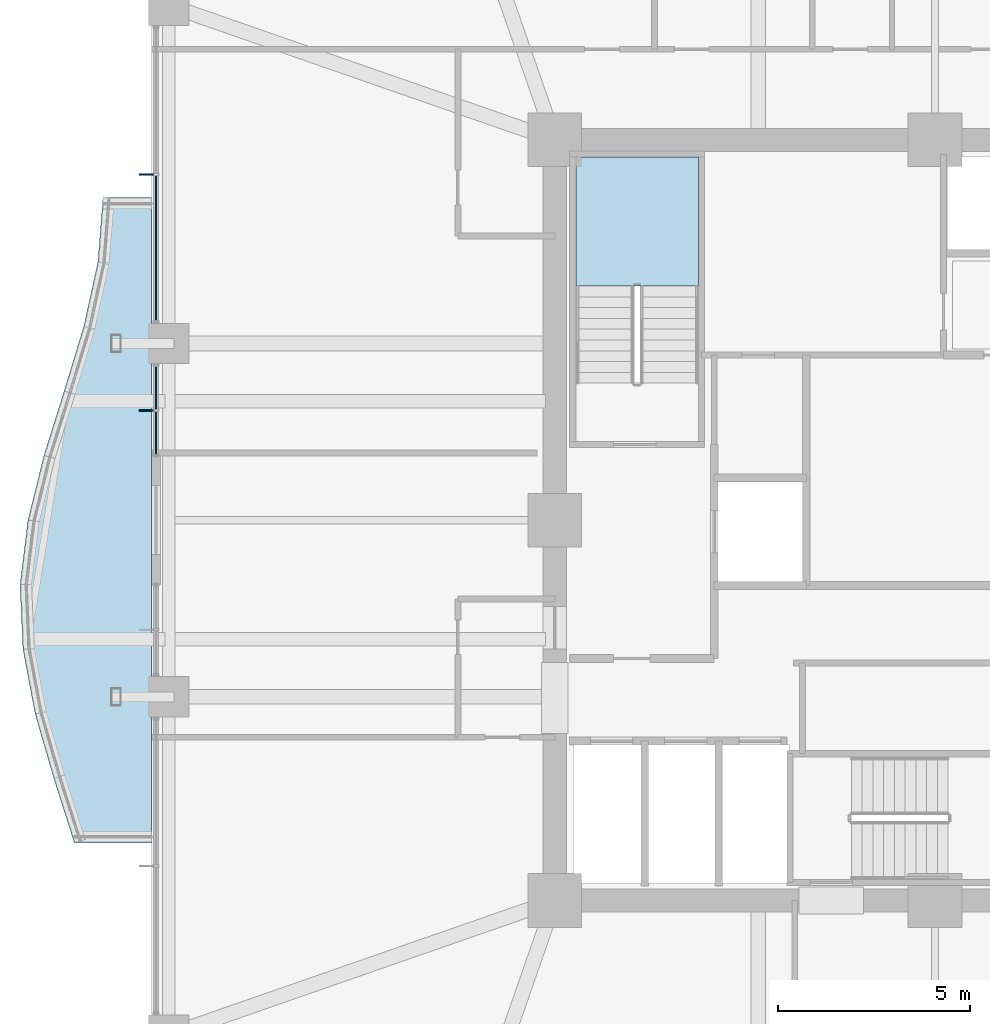
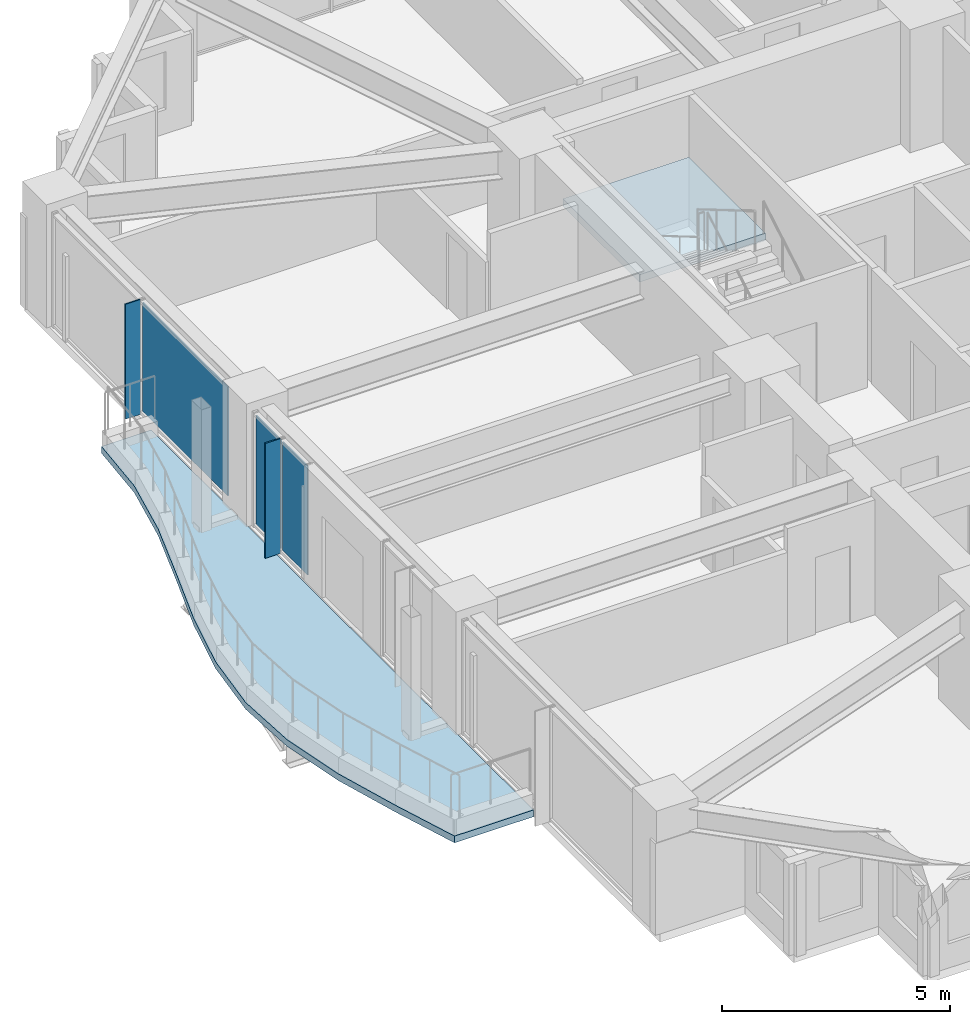
# One storey, part 26 of 37: 5 plates, 2 slabs, 3 elements without a shape of their own.
"""IFC4 building model written with IfcOpenShell, lengths in metres."""

from ifc_helpers import new_model, si_unit, direction, frame, origin, origin_2d, place, context, subcontext, project, spatial, polyline, rectangle, outline, extrude, material, layer, layer_set, type_object, element, aggregate, save


model = new_model("IFC4")

# Units and contexts
model_context = context("Model", 3, precision=1e-05, world=origin(), true_north=direction((0.0, 1.0)))
body_context = subcontext(model_context, "Body", "Model", "MODEL_VIEW")
ifc_project = project(units=[si_unit("LENGTHUNIT", "METRE"), si_unit("AREAUNIT", "SQUARE_METRE"), si_unit("VOLUMEUNIT", "CUBIC_METRE"), si_unit("PLANEANGLEUNIT", "RADIAN"), si_unit("MASSUNIT", "GRAM", prefix="KILO")], contexts=[model_context])

# Site, building, storey
site_placement = place(None, origin())
site = spatial("IfcSite", under=ifc_project, at=site_placement, CompositionType="ELEMENT")
building_placement = place(site_placement, origin())
building = spatial("IfcBuilding", under=site, at=building_placement, Name="Kolvaren Belvedere", CompositionType="ELEMENT")
storey_placement = place(building_placement, frame((0.0, 0.0, 75.5)))
storey = spatial("IfcBuildingStorey", under=building, at=storey_placement, Name="L21", CompositionType="ELEMENT", Elevation=75.5)

# Curtain wall, plates
ifc_material_1 = material(Name="Anodised pale-metal aluminium AA 6063-T6", Category="aluminium")
curtain_wall_type = type_object("IfcCurtainWallType", Name="CW-Z2-MID", PredefinedType="NOTDEFINED", material=ifc_material_1)
curtain_wall_1_placement = place(storey_placement, origin())
curtain_wall_1 = element("IfcCurtainWall", 1, at=curtain_wall_1_placement, inside=storey, type_object=curtain_wall_type, Name="L21 Unitised Curtain Wall FCW-L21-W2-B1", PredefinedType="NOTDEFINED")
ifc_material_2 = material(Name="Low-iron triple insulated glass", Category="glass")
ifc_layer_1 = layer(ifc_material_2, 0.028076171875)
ifc_layer_set_1 = layer_set([ifc_layer_1], Name="Low-iron triple insulated glass")
plate_type_1 = type_object("IfcPlateType", Name="CW-PNL-VIS28", PredefinedType="CURTAIN_PANEL", material=ifc_layer_set_1)
plate_1_placement = place(storey_placement, frame((-20.280029296875, 2.265625, 0.080078125), z_axis=(0.0, 0.0, 1.0), x_axis=(0.0, 1.0, 0.0)))
plate_1 = element("IfcPlate", 2, at=plate_1_placement, type_object=plate_type_1, Name="FCW-L21-W2-B1 Vision Glazing Panel 1", PredefinedType="CURTAIN_PANEL", context=body_context, shape_type="SweptSolid", body=[
    extrude(rectangle(XDim=1.09130859375, YDim=0.028076171875, at=origin_2d()), origin(), (0.0, 0.0, 1.0), 2.919921875),
])
plate_2_placement = place(storey_placement, frame((-20.280029296875, 3.43701171875, 0.080078125), z_axis=(0.0, 0.0, 1.0), x_axis=(0.0, 1.0, 0.0)))
plate_2 = element("IfcPlate", 3, at=plate_2_placement, type_object=plate_type_1, Name="FCW-L21-W2-B1 Vision Glazing Panel 2", PredefinedType="CURTAIN_PANEL", context=body_context, shape_type="SweptSolid", body=[
    extrude(rectangle(XDim=1.09130859375, YDim=0.028076171875, at=origin_2d()), origin(), (0.0, 0.0, 1.0), 2.919921875),
])
aggregate(curtain_wall_1, [plate_1, plate_2])

# Curtain wall, plate
curtain_wall_2_placement = place(storey_placement, origin())
curtain_wall_2 = element("IfcCurtainWall", 4, at=curtain_wall_2_placement, inside=storey, type_object=curtain_wall_type, Name="L21 Unitised Curtain Wall FCW-L21-W2-B2", PredefinedType="NOTDEFINED")
plate_3_placement = place(storey_placement, frame((-20.280029296875, 7.0888671875, 0.080078125), z_axis=(0.0, 0.0, 1.0), x_axis=(0.0, 1.0, 0.0)))
plate_3 = element("IfcPlate", 5, at=plate_3_placement, type_object=plate_type_1, Name="FCW-L21-W2-B2 Vision Glazing Panel 1", PredefinedType="CURTAIN_PANEL", context=body_context, shape_type="SweptSolid", body=[
    extrude(rectangle(XDim=3.742431640625, YDim=0.028076171875, at=origin_2d()), origin(), (0.0, 0.0, 1.0), 2.919921875),
])
aggregate(curtain_wall_2, [plate_3])

# Plates
ifc_material_3 = material(Name="Anodised pale-metal aluminium AA 6063-T6", Category="aluminium")
ifc_layer_2 = layer(ifc_material_3, 0.033935546875)
ifc_layer_set_2 = layer_set([ifc_layer_2], Name="Anodised pale-metal aluminium AA 6063-T6")
plate_type_2 = type_object("IfcPlateType", Name="FIN-VERT-380", PredefinedType="USERDEFINED", material=ifc_layer_set_2)
for number, where, z_axis, x_axis, name in (
    (6, (-20.52490234375, 2.851318359375, 0.0), (0.0, 0.0, 1.0), (1.0, 0.0, 0.0), "L21 Pale-Metal Vertical Shading Fin FCW-L21-W2-B1-1"),
    (7, (-20.52490234375, 9.0, 0.0), (0.0, 0.0, 1.0), (1.0, 0.0, 0.0), "L21 Pale-Metal Vertical Shading Fin FCW-L21-W2-B2-1"),
):
    element("IfcPlate", number, at=place(storey_placement, frame(where, z_axis=z_axis, x_axis=x_axis)), inside=storey, type_object=plate_type_2, Name=name, ObjectType="VERTICAL FIN", PredefinedType="USERDEFINED", context=body_context, shape_type="SweptSolid", body=[
        extrude(rectangle(XDim=0.3798828125, YDim=0.033935546875, at=origin_2d()), origin(), (0.0, 0.0, 1.0), 3.080078125),
    ])

# Slab
ifc_material_4 = material(Name="Concrete C50/60", Category="concrete")
ifc_layer_3 = layer(ifc_material_4, 0.179931640625)
ifc_layer_set_3 = layer_set([ifc_layer_3], Name="Concrete C50/60")
slab_type_1 = type_object("IfcSlabType", Name="SL-BAL-180", PredefinedType="FLOOR", material=ifc_layer_set_3)
slab_1_placement = place(storey_placement, frame((0.0, 0.0, -0.219970703125)))
element("IfcSlab", 8, at=slab_1_placement, inside=storey, type_object=slab_type_1, Name="L21 Planted Balcony BAL-W", PredefinedType="FLOOR", context=body_context, shape_type="SweptSolid", body=[
    extrude(outline(polyline([(-21.659912109375, 8.39990234375), (-21.793701171875, 6.719970703125), (-22.161376953125, 5.0400390625), (-22.672119140625, 3.360107421875), (-23.19970703125, 1.679931640625), (-23.61376953125, 0.0), (-23.820068359375, -1.679931640625), (-23.744140625, -3.360107421875), (-23.428466796875, -5.0400390625), (-22.9423828125, -6.719970703125), (-22.40625, -8.39990234375), (-20.39990234375, -8.39990234375), (-20.39990234375, -6.719970703125), (-20.39990234375, -5.0400390625), (-20.39990234375, -3.360107421875), (-20.39990234375, -1.679931640625), (-20.39990234375, 0.0), (-20.39990234375, 1.679931640625), (-20.39990234375, 3.360107421875), (-20.39990234375, 5.0400390625), (-20.39990234375, 6.719970703125), (-20.39990234375, 8.39990234375), (-21.659912109375, 8.39990234375)])), origin(), (0.0, 0.0, 1.0), 0.179931640625),
])

# Stair, slab
ifc_material_5 = material(Name="Concrete C50/60", Category="concrete")
stair_type = type_object("IfcStairType", Name="ST-CORE-1520", PredefinedType="HALF_TURN_STAIR", material=ifc_material_5)
stair_placement = place(storey_placement, origin())
stair = element("IfcStair", 9, at=stair_placement, inside=storey, type_object=stair_type, Name="L21 Protected Exit Stair ST-1", PredefinedType="HALF_TURN_STAIR")
ifc_material_6 = material(Name="Concrete C50/60", Category="concrete")
ifc_layer_4 = layer(ifc_material_6, 0.260009765625)
ifc_layer_set_4 = layer_set([ifc_layer_4], Name="Concrete C50/60")
slab_type_2 = type_object("IfcSlabType", Name="SL-LAND-260", PredefinedType="LANDING", material=ifc_layer_set_4)
slab_2_placement = place(storey_placement, frame((0.0, 0.0, 1.449951171875)))
slab_2 = element("IfcSlab", 10, at=slab_2_placement, type_object=slab_type_2, Name="ST-1 landing 1", PredefinedType="LANDING", context=body_context, shape_type="SweptSolid", body=[
    extrude(outline(polyline([(-6.159912109375, 6.090087890625), (-6.159912109375, 9.449951171875), (-9.35009765625, 9.449951171875), (-9.35009765625, 6.090087890625), (-6.159912109375, 6.090087890625)])), origin(), (0.0, 0.0, 1.0), 0.199951171875),
])
aggregate(stair, [slab_2])

save(model, "model.ifc")
